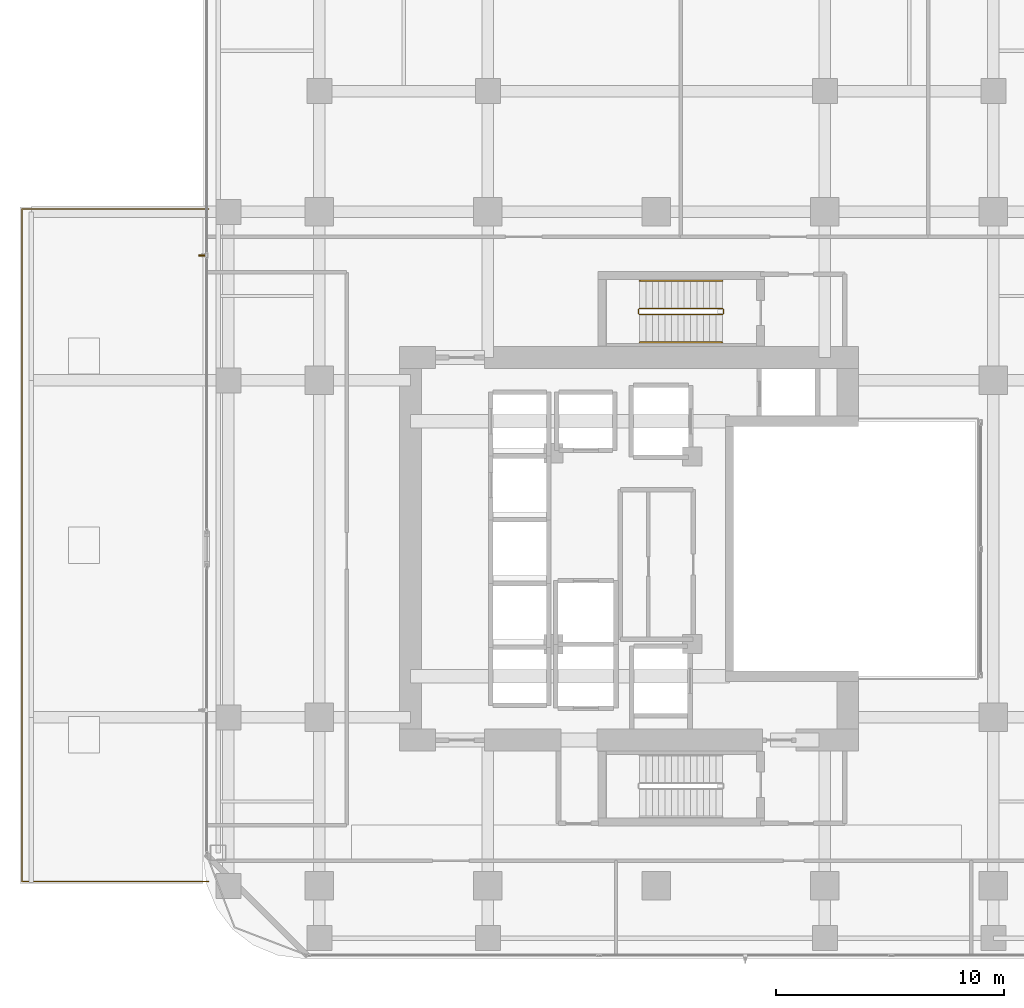
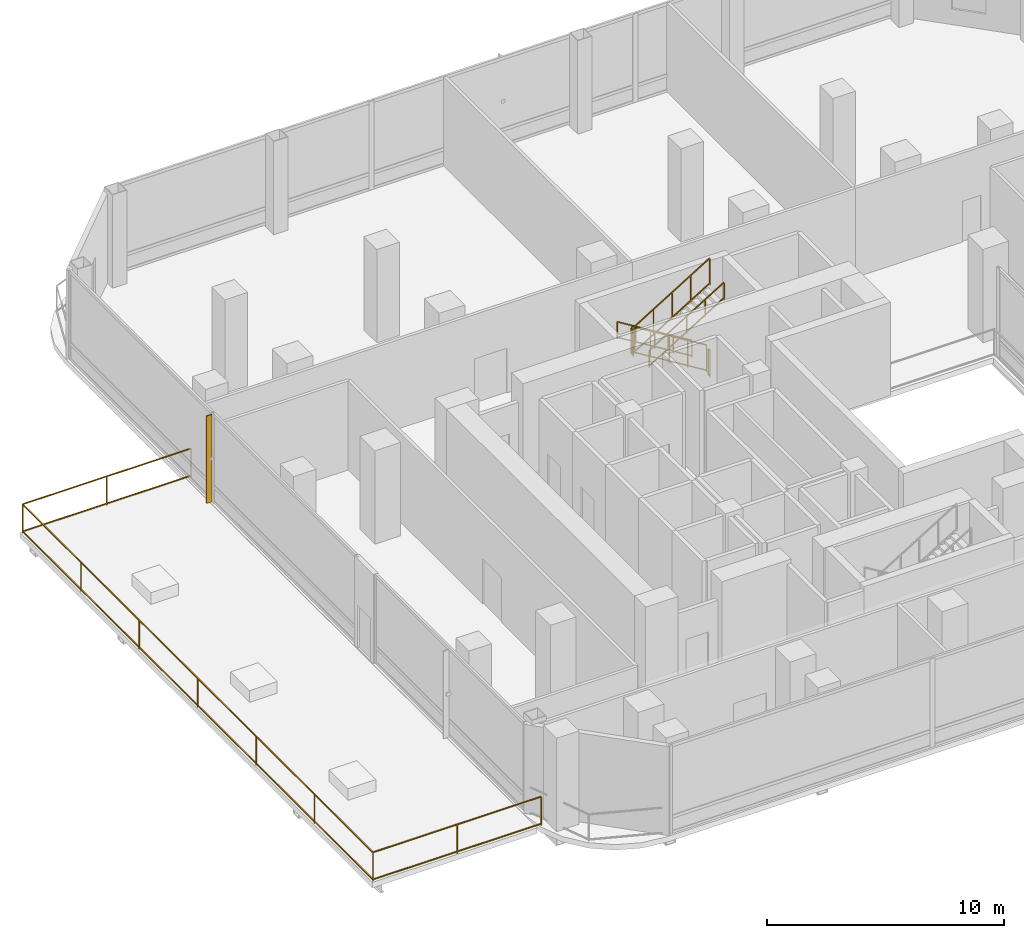
# One storey, part 25 of 28: 7 railings, 1 shading device.
"""IFC4 building model written with IfcOpenShell, lengths in metres."""

from ifc_helpers import new_model, si_unit, direction, frame, origin, origin_2d, place, context, subcontext, project, spatial, rectangle, extrude, material, layer, layer_set, type_object, element, save


model = new_model("IFC4")

# Units and contexts
model_context = context("Model", 3, precision=1e-05, world=origin(), true_north=direction((0.0, 1.0)))
body_context = subcontext(model_context, "Body", "Model", "MODEL_VIEW")
ifc_project = project(units=[si_unit("LENGTHUNIT", "METRE"), si_unit("AREAUNIT", "SQUARE_METRE"), si_unit("VOLUMEUNIT", "CUBIC_METRE"), si_unit("PLANEANGLEUNIT", "RADIAN"), si_unit("MASSUNIT", "GRAM", prefix="KILO")], contexts=[model_context])

# Site, building, storey
site_placement = place(None, origin())
site = spatial("IfcSite", under=ifc_project, at=site_placement, CompositionType="ELEMENT")
building_placement = place(site_placement, origin())
building = spatial("IfcBuilding", under=site, at=building_placement, Name="Khorvyn Point Tower", CompositionType="ELEMENT")
storey_placement = place(building_placement, frame((0.0, 0.0, 108.60009765625)))
storey = spatial("IfcBuildingStorey", under=building, at=storey_placement, Name="L27", CompositionType="ELEMENT", Elevation=108.60009765625)

# Shading device
ifc_material_1 = material(Name="Pale anodised aluminium 6063-T6", Category="aluminium")
ifc_layer = layer(ifc_material_1, 0.054931640625)
ifc_layer_set = layer_set([ifc_layer], Name="Pale Anodised Aluminium FIN 260x55")
shading_device_type = type_object("IfcShadingDeviceType", Name="Pale Anodised Aluminium FIN 260x55", PredefinedType="USERDEFINED", material=ifc_layer_set)
shading_device_placement = place(storey_placement, frame((-19.969970703125, 12.885009765625, 0.039794921875), z_axis=(0.0, 0.0, 1.0), x_axis=(-1.0, 0.0, 0.0)))
element("IfcShadingDevice", 1, at=shading_device_placement, inside=storey, type_object=shading_device_type, Name="L27 Anodised FIN 01", ObjectType="FIN", PredefinedType="USERDEFINED", context=body_context, shape_type="SweptSolid", body=[
    extrude(rectangle(XDim=0.260009765625, YDim=0.054931640625, at=origin_2d()), origin(), (0.0, 0.0, 1.0), 4.5),
])

# Railings
ifc_material_2 = material(Name="Stainless steel 1.4401", Category="steel")
railing_type_1 = type_object("IfcRailingType", Name="School Terrace Anti-Climb Safety Guardrail 1500", PredefinedType="GUARDRAIL", material=ifc_material_2)
railing_1_placement = place(storey_placement, frame((-19.669921875, -14.6201171875, 0.0)))
element("IfcRailing", 2, at=railing_1_placement, inside=storey, type_object=railing_type_1, Name="L27 Setback Terrace Guardrail", PredefinedType="GUARDRAIL", context=body_context, shape_type="SweptSolid", body=[
    extrude(rectangle(XDim=0.048095703125, YDim=0.048095703125, at=origin_2d()), frame((0.0, 0.0, 1.47607421875), z_axis=(-1.0, 0.0, 0.0), x_axis=(0.0, -1.0, 0.0)), (0.0, 0.0, 1.0), 8.2001953125),
    extrude(rectangle(XDim=0.048095703125, YDim=0.048095703125, at=origin_2d()), frame((0.0, 0.0, 0.080078125), z_axis=(-1.0, 0.0, 0.0), x_axis=(0.0, -1.0, 0.0)), (0.0, 0.0, 1.0), 8.2001953125),
    extrude(rectangle(XDim=0.048095703125, YDim=0.048095703125, at=origin_2d()), frame((-8.2001953125, 0.0, 1.47607421875), z_axis=(0.0, 1.0, 0.0), x_axis=(-1.0, 0.0, 0.0)), (0.0, 0.0, 1.0), 29.5400390625),
    extrude(rectangle(XDim=0.048095703125, YDim=0.048095703125, at=origin_2d()), frame((-8.2001953125, 0.0, 0.080078125), z_axis=(0.0, 1.0, 0.0), x_axis=(-1.0, 0.0, 0.0)), (0.0, 0.0, 1.0), 29.5400390625),
    extrude(rectangle(XDim=0.048095703125, YDim=0.048095703125, at=origin_2d()), frame((-8.2001953125, 29.5400390625, 1.47607421875), z_axis=(1.0, 0.0, 0.0), x_axis=(0.0, 1.0, 0.0)), (0.0, 0.0, 1.0), 8.2001953125),
    extrude(rectangle(XDim=0.048095703125, YDim=0.048095703125, at=origin_2d()), frame((-8.2001953125, 29.5400390625, 0.080078125), z_axis=(1.0, 0.0, 0.0), x_axis=(0.0, 1.0, 0.0)), (0.0, 0.0, 1.0), 8.2001953125),
    extrude(rectangle(XDim=0.0419921875, YDim=0.0419921875, at=origin_2d()), origin(), (0.0, 0.0, 1.0), 1.451904296875),
    extrude(rectangle(XDim=0.0419921875, YDim=0.0419921875, at=origin_2d()), frame((-4.10009765625, 0.0, 0.0)), (0.0, 0.0, 1.0), 1.451904296875),
    extrude(rectangle(XDim=0.0419921875, YDim=0.0419921875, at=origin_2d()), frame((-8.2001953125, 0.0, 0.0)), (0.0, 0.0, 1.0), 1.451904296875),
    extrude(rectangle(XDim=0.0419921875, YDim=0.0419921875, at=origin_2d()), frame((-8.2001953125, 4.92333984375, 0.0)), (0.0, 0.0, 1.0), 1.451904296875),
    extrude(rectangle(XDim=0.0419921875, YDim=0.0419921875, at=origin_2d()), frame((-8.2001953125, 9.8466796875, 0.0)), (0.0, 0.0, 1.0), 1.451904296875),
    extrude(rectangle(XDim=0.0419921875, YDim=0.0419921875, at=origin_2d()), frame((-8.2001953125, 14.77001953125, 0.0)), (0.0, 0.0, 1.0), 1.451904296875),
    extrude(rectangle(XDim=0.0419921875, YDim=0.0419921875, at=origin_2d()), frame((-8.2001953125, 19.693359375, 0.0)), (0.0, 0.0, 1.0), 1.451904296875),
    extrude(rectangle(XDim=0.0419921875, YDim=0.0419921875, at=origin_2d()), frame((-8.2001953125, 24.61669921875, 0.0)), (0.0, 0.0, 1.0), 1.451904296875),
    extrude(rectangle(XDim=0.0419921875, YDim=0.0419921875, at=origin_2d()), frame((-8.2001953125, 29.5400390625, 0.0)), (0.0, 0.0, 1.0), 1.451904296875),
    extrude(rectangle(XDim=0.0419921875, YDim=0.0419921875, at=origin_2d()), frame((-4.10009765625, 29.5400390625, 0.0)), (0.0, 0.0, 1.0), 1.451904296875),
    extrude(rectangle(XDim=0.0419921875, YDim=0.0419921875, at=origin_2d()), frame((0.0, 29.5400390625, 0.0)), (0.0, 0.0, 1.0), 1.451904296875),
])
ifc_material_3 = material(Name="Stainless steel 1.4301", Category="steel")
railing_type_2 = type_object("IfcRailingType", Name="Stainless Steel 304 Stair Pitch Handrail 900", PredefinedType="HANDRAIL", material=ifc_material_3)
railing_2_placement = place(storey_placement, frame((2.89990234375, 11.77001953125, 0.17138671875)))
element("IfcRailing", 3, at=railing_2_placement, inside=storey, type_object=railing_type_2, Name="L27 ST-02 stair handrail 1", PredefinedType="HANDRAIL", context=body_context, shape_type="SweptSolid", body=[
    extrude(rectangle(XDim=0.048095703125, YDim=0.048095703125, at=origin_2d()), frame((0.0, 0.0, 0.8759765625), z_axis=(-0.852850264322, 0.0, 0.5221555579), x_axis=(0.0, -1.0, 0.0)), (0.0, 0.0, 1.0), 4.267822265625),
    extrude(rectangle(XDim=0.048095703125, YDim=0.048095703125, at=origin_2d()), frame((0.0, 0.0, 0.080078125), z_axis=(-0.852850264322, 0.0, 0.5221555579), x_axis=(0.0, -1.0, 0.0)), (0.0, 0.0, 1.0), 4.267822265625),
    extrude(rectangle(XDim=0.0419921875, YDim=0.0419921875, at=origin_2d()), origin(), (0.0, 0.0, 1.0), 0.851806640625),
    extrude(rectangle(XDim=0.0419921875, YDim=0.0419921875, at=origin_2d()), frame((-0.909912109375, 0.0, 0.55712890625)), (0.0, 0.0, 1.0), 0.851806640625),
    extrude(rectangle(XDim=0.0419921875, YDim=0.0419921875, at=origin_2d()), frame((-1.81982421875, 0.0, 1.1142578125)), (0.0, 0.0, 1.0), 0.851806640625),
    extrude(rectangle(XDim=0.0419921875, YDim=0.0419921875, at=origin_2d()), frame((-2.72998046875, 0.0, 1.67138671875)), (0.0, 0.0, 1.0), 0.851806640625),
    extrude(rectangle(XDim=0.0419921875, YDim=0.0419921875, at=origin_2d()), frame((-3.639892578125, 0.0, 2.228515625)), (0.0, 0.0, 1.0), 0.851806640625),
])
railing_3_placement = place(storey_placement, frame((-0.739990234375, 9.070068359375, 2.5712890625)))
element("IfcRailing", 4, at=railing_3_placement, inside=storey, type_object=railing_type_2, Name="L27 ST-02 stair handrail 2", PredefinedType="HANDRAIL", context=body_context, shape_type="SweptSolid", body=[
    extrude(rectangle(XDim=0.048095703125, YDim=0.048095703125, at=origin_2d()), frame((0.0, 0.0, 0.8759765625), z_axis=(0.852850264322, 0.0, 0.5221555579), x_axis=(0.0, 1.0, 0.0)), (0.0, 0.0, 1.0), 4.267822265625),
    extrude(rectangle(XDim=0.048095703125, YDim=0.048095703125, at=origin_2d()), frame((0.0, 0.0, 0.080078125), z_axis=(0.852850264322, 0.0, 0.5221555579), x_axis=(0.0, 1.0, 0.0)), (0.0, 0.0, 1.0), 4.267822265625),
    extrude(rectangle(XDim=0.0419921875, YDim=0.0419921875, at=origin_2d()), origin(), (0.0, 0.0, 1.0), 0.851806640625),
    extrude(rectangle(XDim=0.0419921875, YDim=0.0419921875, at=origin_2d()), frame((0.909912109375, 0.0, 0.55712890625)), (0.0, 0.0, 1.0), 0.851806640625),
    extrude(rectangle(XDim=0.0419921875, YDim=0.0419921875, at=origin_2d()), frame((1.81982421875, 0.0, 1.1142578125)), (0.0, 0.0, 1.0), 0.851806640625),
    extrude(rectangle(XDim=0.0419921875, YDim=0.0419921875, at=origin_2d()), frame((2.72998046875, 0.0, 1.67138671875)), (0.0, 0.0, 1.0), 0.851806640625),
    extrude(rectangle(XDim=0.0419921875, YDim=0.0419921875, at=origin_2d()), frame((3.639892578125, 0.0, 2.228515625)), (0.0, 0.0, 1.0), 0.851806640625),
])
railing_type_3 = type_object("IfcRailingType", Name="Stainless Steel 304 Stair Well Guardrail 1400", PredefinedType="GUARDRAIL", material=ifc_material_3)
railing_4_placement = place(storey_placement, frame((2.89990234375, 10.550048828125, 0.17138671875)))
element("IfcRailing", 5, at=railing_4_placement, inside=storey, type_object=railing_type_3, Name="L27 ST-02 stair guard 1", PredefinedType="GUARDRAIL", context=body_context, shape_type="SweptSolid", body=[
    extrude(rectangle(XDim=0.048095703125, YDim=0.048095703125, at=origin_2d()), frame((0.0, 0.0, 1.3759765625), z_axis=(-0.852850264322, 0.0, 0.5221555579), x_axis=(0.0, -1.0, 0.0)), (0.0, 0.0, 1.0), 4.267822265625),
    extrude(rectangle(XDim=0.048095703125, YDim=0.048095703125, at=origin_2d()), frame((0.0, 0.0, 0.080078125), z_axis=(-0.852850264322, 0.0, 0.5221555579), x_axis=(0.0, -1.0, 0.0)), (0.0, 0.0, 1.0), 4.267822265625),
    extrude(rectangle(XDim=0.0419921875, YDim=0.0419921875, at=origin_2d()), origin(), (0.0, 0.0, 1.0), 1.351806640625),
    extrude(rectangle(XDim=0.0419921875, YDim=0.0419921875, at=origin_2d()), frame((-0.909912109375, 0.0, 0.55712890625)), (0.0, 0.0, 1.0), 1.351806640625),
    extrude(rectangle(XDim=0.0419921875, YDim=0.0419921875, at=origin_2d()), frame((-1.81982421875, 0.0, 1.1142578125)), (0.0, 0.0, 1.0), 1.351806640625),
    extrude(rectangle(XDim=0.0419921875, YDim=0.0419921875, at=origin_2d()), frame((-2.72998046875, 0.0, 1.67138671875)), (0.0, 0.0, 1.0), 1.351806640625),
    extrude(rectangle(XDim=0.0419921875, YDim=0.0419921875, at=origin_2d()), frame((-3.639892578125, 0.0, 2.228515625)), (0.0, 0.0, 1.0), 1.351806640625),
])
railing_5_placement = place(storey_placement, frame((-0.7900390625, 10.5, 2.39990234375)))
element("IfcRailing", 6, at=railing_5_placement, inside=storey, type_object=railing_type_3, Name="L27 ST-02 stair guard 2", PredefinedType="GUARDRAIL", context=body_context, shape_type="SweptSolid", body=[
    extrude(rectangle(XDim=0.048095703125, YDim=0.048095703125, at=origin_2d()), frame((0.0, 0.0, 1.3759765625), z_axis=(0.0, -1.0, 0.0), x_axis=(1.0, 0.0, 0.0)), (0.0, 0.0, 1.0), 0.159912109375),
    extrude(rectangle(XDim=0.048095703125, YDim=0.048095703125, at=origin_2d()), frame((0.0, 0.0, 0.080078125), z_axis=(0.0, -1.0, 0.0), x_axis=(1.0, 0.0, 0.0)), (0.0, 0.0, 1.0), 0.159912109375),
    extrude(rectangle(XDim=0.0419921875, YDim=0.0419921875, at=origin_2d()), origin(), (0.0, 0.0, 1.0), 1.351806640625),
    extrude(rectangle(XDim=0.0419921875, YDim=0.0419921875, at=origin_2d()), frame((0.0, -0.159912109375, 0.0)), (0.0, 0.0, 1.0), 1.351806640625),
])
railing_6_placement = place(storey_placement, frame((-0.739990234375, 10.2900390625, 2.5712890625)))
element("IfcRailing", 7, at=railing_6_placement, inside=storey, type_object=railing_type_3, Name="L27 ST-02 stair guard 3", PredefinedType="GUARDRAIL", context=body_context, shape_type="SweptSolid", body=[
    extrude(rectangle(XDim=0.048095703125, YDim=0.048095703125, at=origin_2d()), frame((0.0, 0.0, 1.3759765625), z_axis=(0.852850264322, 0.0, 0.5221555579), x_axis=(0.0, 1.0, 0.0)), (0.0, 0.0, 1.0), 4.267822265625),
    extrude(rectangle(XDim=0.048095703125, YDim=0.048095703125, at=origin_2d()), frame((0.0, 0.0, 0.080078125), z_axis=(0.852850264322, 0.0, 0.5221555579), x_axis=(0.0, 1.0, 0.0)), (0.0, 0.0, 1.0), 4.267822265625),
    extrude(rectangle(XDim=0.0419921875, YDim=0.0419921875, at=origin_2d()), origin(), (0.0, 0.0, 1.0), 1.351806640625),
    extrude(rectangle(XDim=0.0419921875, YDim=0.0419921875, at=origin_2d()), frame((0.909912109375, 0.0, 0.55712890625)), (0.0, 0.0, 1.0), 1.351806640625),
    extrude(rectangle(XDim=0.0419921875, YDim=0.0419921875, at=origin_2d()), frame((1.81982421875, 0.0, 1.1142578125)), (0.0, 0.0, 1.0), 1.351806640625),
    extrude(rectangle(XDim=0.0419921875, YDim=0.0419921875, at=origin_2d()), frame((2.72998046875, 0.0, 1.67138671875)), (0.0, 0.0, 1.0), 1.351806640625),
    extrude(rectangle(XDim=0.0419921875, YDim=0.0419921875, at=origin_2d()), frame((3.639892578125, 0.0, 2.228515625)), (0.0, 0.0, 1.0), 1.351806640625),
])
railing_7_placement = place(storey_placement, frame((2.949951171875, 10.5, 0.0)))
element("IfcRailing", 8, at=railing_7_placement, inside=storey, type_object=railing_type_3, Name="L27 ST-02 stair guard 4", PredefinedType="GUARDRAIL", context=body_context, shape_type="SweptSolid", body=[
    extrude(rectangle(XDim=0.048095703125, YDim=0.048095703125, at=origin_2d()), frame((0.0, 0.0, 1.3759765625), z_axis=(0.0, -1.0, 0.0), x_axis=(1.0, 0.0, 0.0)), (0.0, 0.0, 1.0), 0.159912109375),
    extrude(rectangle(XDim=0.048095703125, YDim=0.048095703125, at=origin_2d()), frame((0.0, 0.0, 0.080078125), z_axis=(0.0, -1.0, 0.0), x_axis=(1.0, 0.0, 0.0)), (0.0, 0.0, 1.0), 0.159912109375),
    extrude(rectangle(XDim=0.0419921875, YDim=0.0419921875, at=origin_2d()), origin(), (0.0, 0.0, 1.0), 1.351806640625),
    extrude(rectangle(XDim=0.0419921875, YDim=0.0419921875, at=origin_2d()), frame((0.0, -0.159912109375, 0.0)), (0.0, 0.0, 1.0), 1.351806640625),
])

save(model, "model.ifc")
